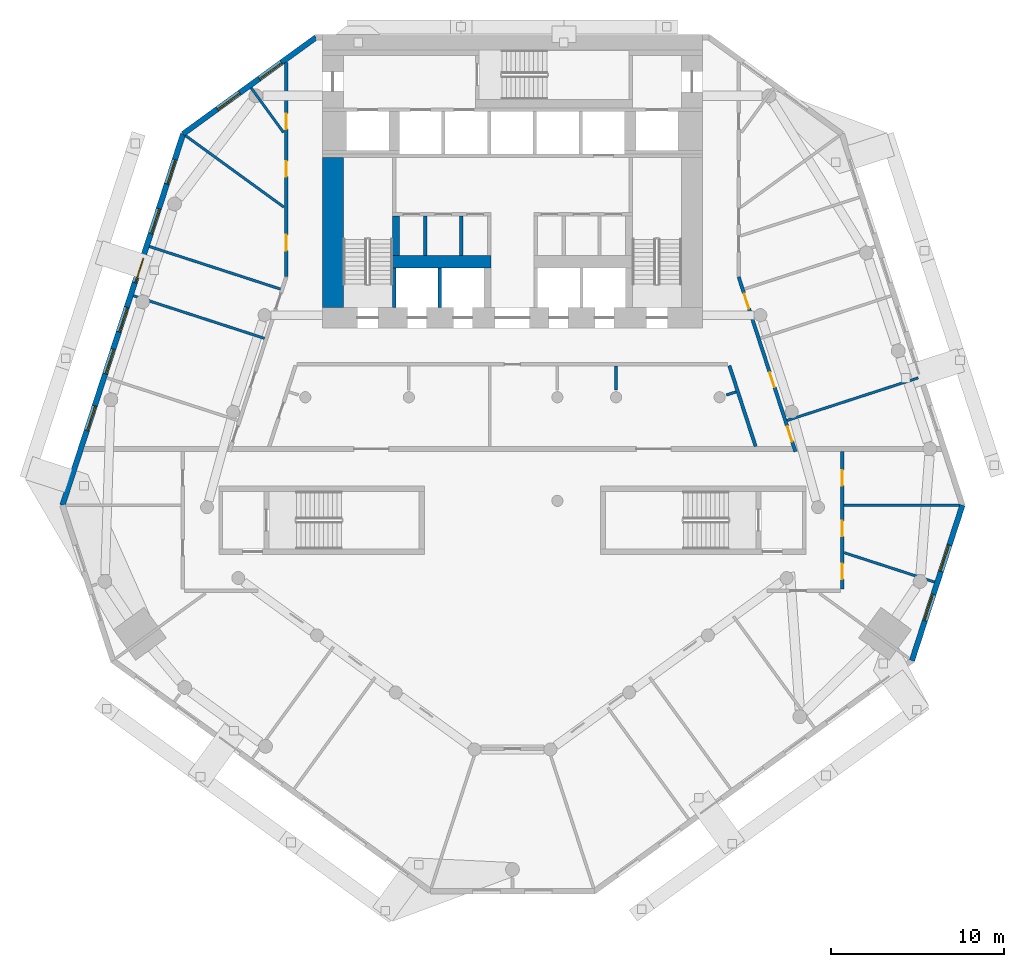
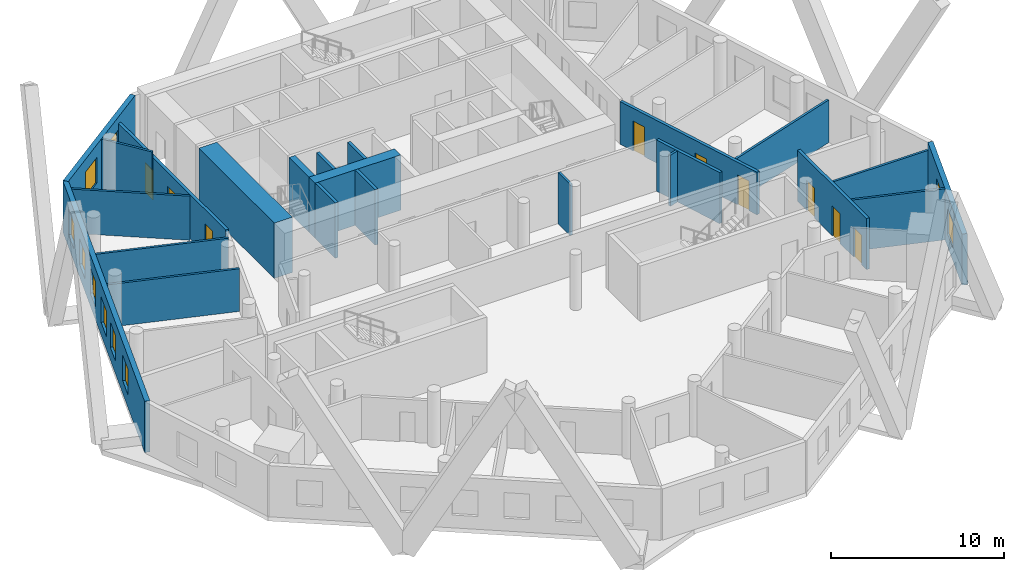
# One storey, part 5 of 10: 23 walls, 10 windows, 9 doors, 19 openings.
"""IFC4 building model written with IfcOpenShell, lengths in metres."""

from ifc_helpers import new_model, si_unit, direction, frame, frame_2d, origin, place, context, subcontext, project, spatial, rectangle, extrude, material, layer, layer_set, type_object, element, fill, save


model = new_model("IFC4")

# Units and contexts
model_context = context("Model", 3, precision=1e-05, world=origin(), true_north=direction((0.0, 1.0)))
body_context = subcontext(model_context, "Body", "Model", "MODEL_VIEW")
ifc_project = project(units=[si_unit("LENGTHUNIT", "METRE"), si_unit("AREAUNIT", "SQUARE_METRE"), si_unit("VOLUMEUNIT", "CUBIC_METRE"), si_unit("PLANEANGLEUNIT", "RADIAN"), si_unit("MASSUNIT", "GRAM", prefix="KILO")], contexts=[model_context])

# Site, building, storey
site_placement = place(None, origin())
site = spatial("IfcSite", under=ifc_project, at=site_placement, CompositionType="ELEMENT")
building_placement = place(site_placement, origin())
building = spatial("IfcBuilding", under=site, at=building_placement, Name="White Candle Pilgrim Tower", CompositionType="ELEMENT")
storey_placement = place(building_placement, frame((0.0, 0.0, 54.60009765625)))
storey = spatial("IfcBuildingStorey", under=building, at=storey_placement, Name="L10", CompositionType="ELEMENT", Elevation=54.60009765625)

# Wall, openings, doors
ifc_material_1 = material(Name="Gypsum board on steel studs", Category="steel")
ifc_layer_1 = layer(ifc_material_1, 0.199951171875)
ifc_layer_set_1 = layer_set([ifc_layer_1], Name="Corridor wall 200 mm EI 45")
wall_type_1 = type_object("IfcWallType", Name="Corridor wall 200 mm EI 45", PredefinedType="PARTITIONING", material=ifc_layer_set_1)
wall_1_placement = place(storey_placement, frame((56.89990234375, 73.991455078125, 0.0), z_axis=(0.0, 0.0, 1.0), x_axis=(0.0, 1.0, 0.0)))
wall_1 = element("IfcWall", 1, at=wall_1_placement, inside=storey, type_object=wall_type_1, Name="WL-L10-P003", PredefinedType="PARTITIONING", context=body_context, shape_type="SweptSolid", body=[
    extrude(rectangle(XDim=12.40478515625, YDim=0.199951171875, at=frame_2d((6.202392578125, 0.0))), origin(), (0.0, 0.0, 1.0), 3.099853515625),
])
opening_1_placement = place(wall_1_placement, frame((1.507568359375, 0.0, 0.0)))
opening_1 = element("IfcOpeningElement", 2, at=opening_1_placement, cuts=wall_1, Name="Opening T03-118", PredefinedType="OPENING", context=body_context, shape_type="SweptSolid", body=[
    extrude(rectangle(XDim=0.89990234375, YDim=2.10009765625, at=frame_2d((0.449951171875, 1.050048828125))), frame((0.0, 0.10986328125, 0.0), z_axis=(0.0, -1.0, 0.0), x_axis=(1.0, 0.0, 0.0)), (0.0, 0.0, 1.0), 0.219970703125),
])
opening_2_placement = place(wall_1_placement, frame((5.78759765625, 0.0, 0.0)))
opening_2 = element("IfcOpeningElement", 3, at=opening_2_placement, cuts=wall_1, Name="Opening T03-119", PredefinedType="OPENING", context=body_context, shape_type="SweptSolid", body=[
    extrude(rectangle(XDim=0.89990234375, YDim=2.10009765625, at=frame_2d((0.449951171875, 1.050048828125))), frame((0.0, 0.10986328125, 0.0), z_axis=(0.0, -1.0, 0.0), x_axis=(1.0, 0.0, 0.0)), (0.0, 0.0, 1.0), 0.219970703125),
])
opening_3_placement = place(wall_1_placement, frame((8.533203125, 0.0, 0.0)))
opening_3 = element("IfcOpeningElement", 4, at=opening_3_placement, cuts=wall_1, Name="Opening T03-120", PredefinedType="OPENING", context=body_context, shape_type="SweptSolid", body=[
    extrude(rectangle(XDim=0.89990234375, YDim=2.10009765625, at=frame_2d((0.449951171875, 1.050048828125))), frame((0.0, 0.10986328125, 0.0), z_axis=(0.0, -1.0, 0.0), x_axis=(1.0, 0.0, 0.0)), (0.0, 0.0, 1.0), 0.219970703125),
])
ifc_material_2 = material(Name="Steel door leaf", Category="steel")
door_type = type_object("IfcDoorType", Name="Fire door 900 x 2100 EI 30", OperationType="NOTDEFINED", PredefinedType="DOOR", material=ifc_material_2)
door_1_placement = place(opening_1_placement, origin())
door_1 = element("IfcDoor", 5, at=door_1_placement, inside=storey, type_object=door_type, Name="Door T03-118", OperationType="SINGLE_SWING_RIGHT", OverallHeight=2.10009765625, OverallWidth=0.89990234375, PredefinedType="DOOR", context=body_context, shape_type="SweptSolid", body=[
    extrude(rectangle(XDim=0.89990234375, YDim=2.10009765625, at=frame_2d((0.449951171875, 1.050048828125))), frame((0.0, 0.02490234375, 0.0), z_axis=(0.0, -1.0, 0.0), x_axis=(1.0, 0.0, 0.0)), (0.0, 0.0, 1.0), 0.050048828125),
])
fill(opening_1, door_1)
door_2_placement = place(opening_2_placement, origin())
door_2 = element("IfcDoor", 6, at=door_2_placement, inside=storey, type_object=door_type, Name="Door T03-119", OperationType="SINGLE_SWING_LEFT", OverallHeight=2.10009765625, OverallWidth=0.89990234375, PredefinedType="DOOR", context=body_context, shape_type="SweptSolid", body=[
    extrude(rectangle(XDim=0.89990234375, YDim=2.10009765625, at=frame_2d((0.449951171875, 1.050048828125))), frame((0.0, 0.02490234375, 0.0), z_axis=(0.0, -1.0, 0.0), x_axis=(1.0, 0.0, 0.0)), (0.0, 0.0, 1.0), 0.050048828125),
])
fill(opening_2, door_2)
door_3_placement = place(opening_3_placement, origin())
door_3 = element("IfcDoor", 7, at=door_3_placement, inside=storey, type_object=door_type, Name="Door T03-120", OperationType="SINGLE_SWING_RIGHT", OverallHeight=2.10009765625, OverallWidth=0.89990234375, PredefinedType="DOOR", context=body_context, shape_type="SweptSolid", body=[
    extrude(rectangle(XDim=0.89990234375, YDim=2.10009765625, at=frame_2d((0.449951171875, 1.050048828125))), frame((0.0, 0.02490234375, 0.0), z_axis=(0.0, -1.0, 0.0), x_axis=(1.0, 0.0, 0.0)), (0.0, 0.0, 1.0), 0.050048828125),
])
fill(opening_3, door_3)

wall_2_placement = place(storey_placement, frame((83.10498046875, 73.960693359375, 0.0), z_axis=(0.0, 0.0, 1.0), x_axis=(0.308998312102, -0.951062586331, 0.0)))
wall_2 = element("IfcWall", 8, at=wall_2_placement, inside=storey, type_object=wall_type_1, Name="WL-L10-P005", PredefinedType="PARTITIONING", context=body_context, shape_type="SweptSolid", body=[
    extrude(rectangle(XDim=10.630859375, YDim=0.199951171875, at=frame_2d((5.3154296875, 0.0))), origin(), (0.0, 0.0, 1.0), 3.0),
])
opening_4_placement = place(wall_2_placement, frame((1.014404296875, 0.0, 0.0)))
opening_4 = element("IfcOpeningElement", 9, at=opening_4_placement, cuts=wall_2, Name="Opening T03-125", PredefinedType="OPENING", context=body_context, shape_type="SweptSolid", body=[
    extrude(rectangle(XDim=0.89990234375, YDim=2.10009765625, at=frame_2d((0.449951171875, 1.050048828125))), frame((0.0, 0.10986328125, 0.0), z_axis=(0.0, -1.0, 0.0), x_axis=(1.0, 0.0, 0.0)), (0.0, 0.0, 1.0), 0.219970703125),
])
opening_5_placement = place(wall_2_placement, frame((5.814208984375, 0.0, 0.0)))
opening_5 = element("IfcOpeningElement", 10, at=opening_5_placement, cuts=wall_2, Name="Opening T03-126", PredefinedType="OPENING", context=body_context, shape_type="SweptSolid", body=[
    extrude(rectangle(XDim=0.89990234375, YDim=2.10009765625, at=frame_2d((0.449951171875, 1.050048828125))), frame((0.0, 0.10986328125, 0.0), z_axis=(0.0, -1.0, 0.0), x_axis=(1.0, 0.0, 0.0)), (0.0, 0.0, 1.0), 0.219970703125),
])
opening_6_placement = place(wall_2_placement, frame((9.107666015625, 0.0, 0.0)))
opening_6 = element("IfcOpeningElement", 11, at=opening_6_placement, cuts=wall_2, Name="Opening T03-127", PredefinedType="OPENING", context=body_context, shape_type="SweptSolid", body=[
    extrude(rectangle(XDim=0.89990234375, YDim=2.10009765625, at=frame_2d((0.449951171875, 1.050048828125))), frame((0.0, 0.10986328125, 0.0), z_axis=(0.0, -1.0, 0.0), x_axis=(1.0, 0.0, 0.0)), (0.0, 0.0, 1.0), 0.219970703125),
])
door_4_placement = place(opening_4_placement, origin())
door_4 = element("IfcDoor", 12, at=door_4_placement, inside=storey, type_object=door_type, Name="Door T03-125", OperationType="SINGLE_SWING_LEFT", OverallHeight=2.10009765625, OverallWidth=0.89990234375, PredefinedType="DOOR", context=body_context, shape_type="SweptSolid", body=[
    extrude(rectangle(XDim=0.89990234375, YDim=2.10009765625, at=frame_2d((0.449951171875, 1.050048828125))), frame((0.0, 0.02490234375, 0.0), z_axis=(0.0, -1.0, 0.0), x_axis=(1.0, 0.0, 0.0)), (0.0, 0.0, 1.0), 0.050048828125),
])
fill(opening_4, door_4)
door_5_placement = place(opening_5_placement, origin())
door_5 = element("IfcDoor", 13, at=door_5_placement, inside=storey, type_object=door_type, Name="Door T03-126", OperationType="SINGLE_SWING_RIGHT", OverallHeight=2.10009765625, OverallWidth=0.89990234375, PredefinedType="DOOR", context=body_context, shape_type="SweptSolid", body=[
    extrude(rectangle(XDim=0.89990234375, YDim=2.10009765625, at=frame_2d((0.449951171875, 1.050048828125))), frame((0.0, 0.02490234375, 0.0), z_axis=(0.0, -1.0, 0.0), x_axis=(1.0, 0.0, 0.0)), (0.0, 0.0, 1.0), 0.050048828125),
])
fill(opening_5, door_5)
door_6_placement = place(opening_6_placement, origin())
door_6 = element("IfcDoor", 14, at=door_6_placement, inside=storey, type_object=door_type, Name="Door T03-127", OperationType="SINGLE_SWING_LEFT", OverallHeight=2.10009765625, OverallWidth=0.89990234375, PredefinedType="DOOR", context=body_context, shape_type="SweptSolid", body=[
    extrude(rectangle(XDim=0.89990234375, YDim=2.10009765625, at=frame_2d((0.449951171875, 1.050048828125))), frame((0.0, 0.02490234375, 0.0), z_axis=(0.0, -1.0, 0.0), x_axis=(1.0, 0.0, 0.0)), (0.0, 0.0, 1.0), 0.050048828125),
])
fill(opening_6, door_6)

wall_3_placement = place(storey_placement, frame((89.10009765625, 63.85009765625, 0.0), z_axis=(0.0, 0.0, 1.0), x_axis=(0.0, -1.0, 0.0)))
wall_3 = element("IfcWall", 15, at=wall_3_placement, inside=storey, type_object=wall_type_1, Name="WL-L10-P006", PredefinedType="PARTITIONING", context=body_context, shape_type="SweptSolid", body=[
    extrude(rectangle(XDim=7.9501953125, YDim=0.199951171875, at=frame_2d((3.97509765625, 0.0))), origin(), (0.0, 0.0, 1.0), 3.599853515625),
])
opening_7_placement = place(wall_3_placement, frame((6.482666015625, 0.0, 0.0)))
opening_7 = element("IfcOpeningElement", 16, at=opening_7_placement, cuts=wall_3, Name="Opening T03-110", PredefinedType="OPENING", context=body_context, shape_type="SweptSolid", body=[
    extrude(rectangle(XDim=0.89990234375, YDim=2.10009765625, at=frame_2d((0.449951171875, 1.050048828125))), frame((0.0, 0.10986328125, 0.0), z_axis=(0.0, -1.0, 0.0), x_axis=(1.0, 0.0, 0.0)), (0.0, 0.0, 1.0), 0.219970703125),
])
opening_8_placement = place(wall_3_placement, frame((4.0087890625, 0.0, 0.0)))
opening_8 = element("IfcOpeningElement", 17, at=opening_8_placement, cuts=wall_3, Name="Opening T03-111", PredefinedType="OPENING", context=body_context, shape_type="SweptSolid", body=[
    extrude(rectangle(XDim=0.89990234375, YDim=2.10009765625, at=frame_2d((0.449951171875, 1.050048828125))), frame((0.0, 0.10986328125, 0.0), z_axis=(0.0, -1.0, 0.0), x_axis=(1.0, 0.0, 0.0)), (0.0, 0.0, 1.0), 0.219970703125),
])
opening_9_placement = place(wall_3_placement, frame((1.063720703125, 0.0, 0.0)))
opening_9 = element("IfcOpeningElement", 18, at=opening_9_placement, cuts=wall_3, Name="Opening T03-128", PredefinedType="OPENING", context=body_context, shape_type="SweptSolid", body=[
    extrude(rectangle(XDim=0.89990234375, YDim=2.10009765625, at=frame_2d((0.449951171875, 1.050048828125))), frame((0.0, 0.10986328125, 0.0), z_axis=(0.0, -1.0, 0.0), x_axis=(1.0, 0.0, 0.0)), (0.0, 0.0, 1.0), 0.219970703125),
])
door_7_placement = place(opening_7_placement, origin())
door_7 = element("IfcDoor", 19, at=door_7_placement, inside=storey, type_object=door_type, Name="Door T03-110", OperationType="SINGLE_SWING_RIGHT", OverallHeight=2.10009765625, OverallWidth=0.89990234375, PredefinedType="DOOR", context=body_context, shape_type="SweptSolid", body=[
    extrude(rectangle(XDim=0.89990234375, YDim=2.10009765625, at=frame_2d((0.449951171875, 1.050048828125))), frame((0.0, 0.02490234375, 0.0), z_axis=(0.0, -1.0, 0.0), x_axis=(1.0, 0.0, 0.0)), (0.0, 0.0, 1.0), 0.050048828125),
])
fill(opening_7, door_7)
door_8_placement = place(opening_8_placement, origin())
door_8 = element("IfcDoor", 20, at=door_8_placement, inside=storey, type_object=door_type, Name="Door T03-111", OperationType="SINGLE_SWING_LEFT", OverallHeight=2.10009765625, OverallWidth=0.89990234375, PredefinedType="DOOR", context=body_context, shape_type="SweptSolid", body=[
    extrude(rectangle(XDim=0.89990234375, YDim=2.10009765625, at=frame_2d((0.449951171875, 1.050048828125))), frame((0.0, 0.02490234375, 0.0), z_axis=(0.0, -1.0, 0.0), x_axis=(1.0, 0.0, 0.0)), (0.0, 0.0, 1.0), 0.050048828125),
])
fill(opening_8, door_8)
door_9_placement = place(opening_9_placement, origin())
door_9 = element("IfcDoor", 21, at=door_9_placement, inside=storey, type_object=door_type, Name="Door T03-128", OperationType="SINGLE_SWING_RIGHT", OverallHeight=2.10009765625, OverallWidth=0.89990234375, PredefinedType="DOOR", context=body_context, shape_type="SweptSolid", body=[
    extrude(rectangle(XDim=0.89990234375, YDim=2.10009765625, at=frame_2d((0.449951171875, 1.050048828125))), frame((0.0, 0.02490234375, 0.0), z_axis=(0.0, -1.0, 0.0), x_axis=(1.0, 0.0, 0.0)), (0.0, 0.0, 1.0), 0.050048828125),
])
fill(opening_9, door_9)

# Wall
wall_4_placement = place(storey_placement, frame((84.08447265625, 64.14990234375, 0.0), z_axis=(0.0, 0.0, 1.0), x_axis=(-0.308986244793, 0.95106650689, 0.0)))
element("IfcWall", 22, at=wall_4_placement, inside=storey, type_object=wall_type_1, Name="WL-L10-P015", PredefinedType="PARTITIONING", context=body_context, shape_type="SweptSolid", body=[
    extrude(rectangle(XDim=4.921630859375, YDim=0.199951171875, at=frame_2d((2.4609375, 0.0))), origin(), (0.0, 0.0, 1.0), 3.599853515625),
])

# Wall, openings, windows
ifc_material_3 = material(Name="Precast concrete C40/50", Category="concrete")
ifc_layer_2 = layer(ifc_material_3, 0.320068359375)
ifc_layer_set_2 = layer_set([ifc_layer_2], Name="Facade wall EW1 precast concrete C40/50 pier wall with timber-lined reveals")
wall_type_2 = type_object("IfcWallType", Name="Facade wall EW1 precast concrete C40/50 pier wall with timber-lined reveals", PredefinedType="SOLIDWALL", material=ifc_layer_set_2)
wall_5_placement = place(storey_placement, frame((93.137939453125, 51.747802734375, 0.0), z_axis=(0.0, 0.0, 1.0), x_axis=(0.309035900621, 0.951050373076, 0.0)))
wall_5 = element("IfcWall", 23, at=wall_5_placement, inside=storey, type_object=wall_type_2, Name="Facade wall L10 E chamfer", PredefinedType="SOLIDWALL", context=body_context, shape_type="SweptSolid", body=[
    extrude(rectangle(XDim=9.462646484375, YDim=0.320068359375, at=frame_2d((4.7314453125, 0.0))), origin(), (0.0, 0.0, 1.0), 3.599853515625),
])
opening_10_placement = place(wall_5_placement, frame((2.431396484375, 0.0, 0.89990234375)))
opening_10 = element("IfcOpeningElement", 24, at=opening_10_placement, cuts=wall_5, Name="Opening W2", PredefinedType="OPENING", context=body_context, shape_type="SweptSolid", body=[
    extrude(rectangle(XDim=1.60009765625, YDim=1.800048828125, at=frame_2d((0.800048828125, 0.89990234375))), frame((0.0, 0.169921875, 0.0), z_axis=(0.0, -1.0, 0.0), x_axis=(1.0, 0.0, 0.0)), (0.0, 0.0, 1.0), 0.340087890625),
])
opening_11_placement = place(wall_5_placement, frame((5.431396484375, 0.0, 0.89990234375)))
opening_11 = element("IfcOpeningElement", 25, at=opening_11_placement, cuts=wall_5, Name="Opening W2", PredefinedType="OPENING", context=body_context, shape_type="SweptSolid", body=[
    extrude(rectangle(XDim=1.60009765625, YDim=1.800048828125, at=frame_2d((0.800048828125, 0.89990234375))), frame((0.0, 0.169921875, 0.0), z_axis=(0.0, -1.0, 0.0), x_axis=(1.0, 0.0, 0.0)), (0.0, 0.0, 1.0), 0.340087890625),
])
ifc_material_4 = material(Name="Timber frame with triple glazing", Category="wood")
window_type_1 = type_object("IfcWindowType", Name="Window W2 1600x1800 timber frame triple glazing", PartitioningType="SINGLE_PANEL", PredefinedType="WINDOW", material=ifc_material_4)
window_1_placement = place(opening_10_placement, origin())
window_1 = element("IfcWindow", 26, at=window_1_placement, inside=storey, type_object=window_type_1, Name="Window W2 L10 E chamfer 1", OverallHeight=1.800048828125, OverallWidth=1.60009765625, PartitioningType="SINGLE_PANEL", PredefinedType="WINDOW", context=body_context, shape_type="SweptSolid", body=[
    extrude(rectangle(XDim=1.60009765625, YDim=1.800048828125, at=frame_2d((0.800048828125, 0.89990234375))), frame((0.0, 0.070068359375, 0.0), z_axis=(0.0, -1.0, 0.0), x_axis=(1.0, 0.0, 0.0)), (0.0, 0.0, 1.0), 0.06005859375),
])
fill(opening_10, window_1)
window_2_placement = place(opening_11_placement, origin())
window_2 = element("IfcWindow", 27, at=window_2_placement, inside=storey, type_object=window_type_1, Name="Window W2 L10 E chamfer 2", OverallHeight=1.800048828125, OverallWidth=1.60009765625, PartitioningType="SINGLE_PANEL", PredefinedType="WINDOW", context=body_context, shape_type="SweptSolid", body=[
    extrude(rectangle(XDim=1.60009765625, YDim=1.800048828125, at=frame_2d((0.800048828125, 0.89990234375))), frame((0.0, 0.070068359375, 0.0), z_axis=(0.0, -1.0, 0.0), x_axis=(1.0, 0.0, 0.0)), (0.0, 0.0, 1.0), 0.06005859375),
])
fill(opening_11, window_2)

wall_6_placement = place(storey_placement, frame((58.614990234375, 87.840087890625, 0.0), z_axis=(0.0, 0.0, 1.0), x_axis=(-0.809007020713, -0.587798979616, 0.0)))
wall_6 = element("IfcWall", 28, at=wall_6_placement, inside=storey, type_object=wall_type_2, Name="Facade wall L10 NW chamfer", PredefinedType="SOLIDWALL", context=body_context, shape_type="SweptSolid", body=[
    extrude(rectangle(XDim=9.5048828125, YDim=0.320068359375, at=frame_2d((4.75244140625, 0.0))), origin(), (0.0, 0.0, 1.0), 3.599853515625),
])
opening_12_placement = place(wall_6_placement, frame((2.459716796875, 0.0, 0.89990234375)))
opening_12 = element("IfcOpeningElement", 29, at=opening_12_placement, cuts=wall_6, Name="Opening W2", PredefinedType="OPENING", context=body_context, shape_type="SweptSolid", body=[
    extrude(rectangle(XDim=1.60009765625, YDim=1.800048828125, at=frame_2d((0.800048828125, 0.89990234375))), frame((0.0, 0.169921875, 0.0), z_axis=(0.0, -1.0, 0.0), x_axis=(1.0, 0.0, 0.0)), (0.0, 0.0, 1.0), 0.340087890625),
])
opening_13_placement = place(wall_6_placement, frame((5.452392578125, 0.0, 0.89990234375)))
opening_13 = element("IfcOpeningElement", 30, at=opening_13_placement, cuts=wall_6, Name="Opening W2", PredefinedType="OPENING", context=body_context, shape_type="SweptSolid", body=[
    extrude(rectangle(XDim=1.60009765625, YDim=1.800048828125, at=frame_2d((0.800048828125, 0.89990234375))), frame((0.0, 0.169921875, 0.0), z_axis=(0.0, -1.0, 0.0), x_axis=(1.0, 0.0, 0.0)), (0.0, 0.0, 1.0), 0.340087890625),
])
window_3_placement = place(opening_12_placement, origin())
window_3 = element("IfcWindow", 31, at=window_3_placement, inside=storey, type_object=window_type_1, Name="Window W2 L10 NW chamfer 1", OverallHeight=1.800048828125, OverallWidth=1.60009765625, PartitioningType="SINGLE_PANEL", PredefinedType="WINDOW", context=body_context, shape_type="SweptSolid", body=[
    extrude(rectangle(XDim=1.60009765625, YDim=1.800048828125, at=frame_2d((0.800048828125, 0.89990234375))), frame((0.0, 0.070068359375, 0.0), z_axis=(0.0, -1.0, 0.0), x_axis=(1.0, 0.0, 0.0)), (0.0, 0.0, 1.0), 0.06005859375),
])
fill(opening_12, window_3)
window_4_placement = place(opening_13_placement, origin())
window_4 = element("IfcWindow", 32, at=window_4_placement, inside=storey, type_object=window_type_1, Name="Window W2 L10 NW chamfer 2", OverallHeight=1.800048828125, OverallWidth=1.60009765625, PartitioningType="SINGLE_PANEL", PredefinedType="WINDOW", context=body_context, shape_type="SweptSolid", body=[
    extrude(rectangle(XDim=1.60009765625, YDim=1.800048828125, at=frame_2d((0.800048828125, 0.89990234375))), frame((0.0, 0.070068359375, 0.0), z_axis=(0.0, -1.0, 0.0), x_axis=(1.0, 0.0, 0.0)), (0.0, 0.0, 1.0), 0.06005859375),
])
fill(opening_13, window_4)

wall_7_placement = place(storey_placement, frame((50.925537109375, 82.253173828125, 0.0), z_axis=(0.0, 0.0, 1.0), x_axis=(-0.309021621323, -0.951055012896, 0.0)))
wall_7 = element("IfcWall", 33, at=wall_7_placement, inside=storey, type_object=wall_type_2, Name="Facade wall L10 WNW", PredefinedType="SOLIDWALL", context=body_context, shape_type="SweptSolid", body=[
    extrude(rectangle(XDim=22.612548828125, YDim=0.320068359375, at=frame_2d((11.30615234375, 0.0))), origin(), (0.0, 0.0, 1.0), 3.599853515625),
])
opening_14_placement = place(wall_7_placement, frame((1.556396484375, 0.0, 0.89990234375)))
opening_14 = element("IfcOpeningElement", 34, at=opening_14_placement, cuts=wall_7, Name="Opening W1", PredefinedType="OPENING", context=body_context, shape_type="SweptSolid", body=[
    extrude(rectangle(XDim=1.5, YDim=1.800048828125, at=frame_2d((0.75, 0.89990234375))), frame((0.0, 0.169921875, 0.0), z_axis=(0.0, -1.0, 0.0), x_axis=(1.0, 0.0, 0.0)), (0.0, 0.0, 1.0), 0.340087890625),
])
opening_15_placement = place(wall_7_placement, frame((4.556396484375, 0.0, 0.89990234375)))
opening_15 = element("IfcOpeningElement", 35, at=opening_15_placement, cuts=wall_7, Name="Opening W1", PredefinedType="OPENING", context=body_context, shape_type="SweptSolid", body=[
    extrude(rectangle(XDim=1.5, YDim=1.800048828125, at=frame_2d((0.75, 0.89990234375))), frame((0.0, 0.169921875, 0.0), z_axis=(0.0, -1.0, 0.0), x_axis=(1.0, 0.0, 0.0)), (0.0, 0.0, 1.0), 0.340087890625),
])
opening_16_placement = place(wall_7_placement, frame((7.556396484375, 0.0, 0.89990234375)))
opening_16 = element("IfcOpeningElement", 36, at=opening_16_placement, cuts=wall_7, Name="Opening W1", PredefinedType="OPENING", context=body_context, shape_type="SweptSolid", body=[
    extrude(rectangle(XDim=1.5, YDim=1.800048828125, at=frame_2d((0.75, 0.89990234375))), frame((0.0, 0.169921875, 0.0), z_axis=(0.0, -1.0, 0.0), x_axis=(1.0, 0.0, 0.0)), (0.0, 0.0, 1.0), 0.340087890625),
])
opening_17_placement = place(wall_7_placement, frame((10.556396484375, 0.0, 0.89990234375)))
opening_17 = element("IfcOpeningElement", 37, at=opening_17_placement, cuts=wall_7, Name="Opening W1", PredefinedType="OPENING", context=body_context, shape_type="SweptSolid", body=[
    extrude(rectangle(XDim=1.5, YDim=1.800048828125, at=frame_2d((0.75, 0.89990234375))), frame((0.0, 0.169921875, 0.0), z_axis=(0.0, -1.0, 0.0), x_axis=(1.0, 0.0, 0.0)), (0.0, 0.0, 1.0), 0.340087890625),
])
opening_18_placement = place(wall_7_placement, frame((13.106201171875, 0.0, 0.89990234375)))
opening_18 = element("IfcOpeningElement", 38, at=opening_18_placement, cuts=wall_7, Name="Opening W1", PredefinedType="OPENING", context=body_context, shape_type="SweptSolid", body=[
    extrude(rectangle(XDim=1.5, YDim=1.800048828125, at=frame_2d((0.75, 0.89990234375))), frame((0.0, 0.169921875, 0.0), z_axis=(0.0, -1.0, 0.0), x_axis=(1.0, 0.0, 0.0)), (0.0, 0.0, 1.0), 0.340087890625),
])
opening_19_placement = place(wall_7_placement, frame((16.556396484375, 0.0, 0.89990234375)))
opening_19 = element("IfcOpeningElement", 39, at=opening_19_placement, cuts=wall_7, Name="Opening W1", PredefinedType="OPENING", context=body_context, shape_type="SweptSolid", body=[
    extrude(rectangle(XDim=1.5, YDim=1.800048828125, at=frame_2d((0.75, 0.89990234375))), frame((0.0, 0.169921875, 0.0), z_axis=(0.0, -1.0, 0.0), x_axis=(1.0, 0.0, 0.0)), (0.0, 0.0, 1.0), 0.340087890625),
])
window_type_2 = type_object("IfcWindowType", Name="Window W1 1500x1800 timber frame triple glazing", PartitioningType="SINGLE_PANEL", PredefinedType="WINDOW", material=ifc_material_4)
window_5_placement = place(opening_14_placement, origin())
window_5 = element("IfcWindow", 40, at=window_5_placement, inside=storey, type_object=window_type_2, Name="Window W1 L10 WNW 1", OverallHeight=1.800048828125, OverallWidth=1.5, PartitioningType="SINGLE_PANEL", PredefinedType="WINDOW", context=body_context, shape_type="SweptSolid", body=[
    extrude(rectangle(XDim=1.5, YDim=1.800048828125, at=frame_2d((0.75, 0.89990234375))), frame((0.0, 0.070068359375, 0.0), z_axis=(0.0, -1.0, 0.0), x_axis=(1.0, 0.0, 0.0)), (0.0, 0.0, 1.0), 0.06005859375),
])
fill(opening_14, window_5)
window_6_placement = place(opening_15_placement, origin())
window_6 = element("IfcWindow", 41, at=window_6_placement, inside=storey, type_object=window_type_2, Name="Window W1 L10 WNW 2", OverallHeight=1.800048828125, OverallWidth=1.5, PartitioningType="SINGLE_PANEL", PredefinedType="WINDOW", context=body_context, shape_type="SweptSolid", body=[
    extrude(rectangle(XDim=1.5, YDim=1.800048828125, at=frame_2d((0.75, 0.89990234375))), frame((0.0, 0.070068359375, 0.0), z_axis=(0.0, -1.0, 0.0), x_axis=(1.0, 0.0, 0.0)), (0.0, 0.0, 1.0), 0.06005859375),
])
fill(opening_15, window_6)
window_7_placement = place(opening_16_placement, origin())
window_7 = element("IfcWindow", 42, at=window_7_placement, inside=storey, type_object=window_type_2, Name="Window W1 L10 WNW 3", OverallHeight=1.800048828125, OverallWidth=1.5, PartitioningType="SINGLE_PANEL", PredefinedType="WINDOW", context=body_context, shape_type="SweptSolid", body=[
    extrude(rectangle(XDim=1.5, YDim=1.800048828125, at=frame_2d((0.75, 0.89990234375))), frame((0.0, 0.070068359375, 0.0), z_axis=(0.0, -1.0, 0.0), x_axis=(1.0, 0.0, 0.0)), (0.0, 0.0, 1.0), 0.06005859375),
])
fill(opening_16, window_7)
window_8_placement = place(opening_17_placement, origin())
window_8 = element("IfcWindow", 43, at=window_8_placement, inside=storey, type_object=window_type_2, Name="Window W1 L10 WNW 4", OverallHeight=1.800048828125, OverallWidth=1.5, PartitioningType="SINGLE_PANEL", PredefinedType="WINDOW", context=body_context, shape_type="SweptSolid", body=[
    extrude(rectangle(XDim=1.5, YDim=1.800048828125, at=frame_2d((0.75, 0.89990234375))), frame((0.0, 0.070068359375, 0.0), z_axis=(0.0, -1.0, 0.0), x_axis=(1.0, 0.0, 0.0)), (0.0, 0.0, 1.0), 0.06005859375),
])
fill(opening_17, window_8)
window_9_placement = place(opening_18_placement, origin())
window_9 = element("IfcWindow", 44, at=window_9_placement, inside=storey, type_object=window_type_2, Name="Window W1 L10 WNW 5", OverallHeight=1.800048828125, OverallWidth=1.5, PartitioningType="SINGLE_PANEL", PredefinedType="WINDOW", context=body_context, shape_type="SweptSolid", body=[
    extrude(rectangle(XDim=1.5, YDim=1.800048828125, at=frame_2d((0.75, 0.89990234375))), frame((0.0, 0.070068359375, 0.0), z_axis=(0.0, -1.0, 0.0), x_axis=(1.0, 0.0, 0.0)), (0.0, 0.0, 1.0), 0.06005859375),
])
fill(opening_18, window_9)
window_10_placement = place(opening_19_placement, origin())
window_10 = element("IfcWindow", 45, at=window_10_placement, inside=storey, type_object=window_type_2, Name="Window W1 L10 WNW 6", OverallHeight=1.800048828125, OverallWidth=1.5, PartitioningType="SINGLE_PANEL", PredefinedType="WINDOW", context=body_context, shape_type="SweptSolid", body=[
    extrude(rectangle(XDim=1.5, YDim=1.800048828125, at=frame_2d((0.75, 0.89990234375))), frame((0.0, 0.070068359375, 0.0), z_axis=(0.0, -1.0, 0.0), x_axis=(1.0, 0.0, 0.0)), (0.0, 0.0, 1.0), 0.06005859375),
])
fill(opening_19, window_10)

# Walls
ifc_layer_3 = layer(ifc_material_1, 0.199951171875)
ifc_layer_set_3 = layer_set([ifc_layer_3], Name="Lobby wall 200 mm EI 60")
wall_type_3 = type_object("IfcWallType", Name="Lobby wall 200 mm EI 60", PredefinedType="PARTITIONING", material=ifc_layer_set_3)
for number, where, z_axis, x_axis, name in (
    (46, (64.9599609375, 75.199951171875, 0.0), (0.0, 0.0, 1.0), (0.0, 1.0, 0.0), "WL-L10-C23"),
    (47, (67.0400390625, 75.199951171875, 0.0), (0.0, 0.0, 1.0), (0.0, 1.0, 0.0), "WL-L10-C24"),
):
    element("IfcWall", number, at=place(storey_placement, frame(where, z_axis=z_axis, x_axis=x_axis)), inside=storey, type_object=wall_type_3, Name=name, PredefinedType="PARTITIONING", context=body_context, shape_type="SweptSolid", body=[
        extrude(rectangle(XDim=2.300048828125, YDim=0.199951171875, at=frame_2d((1.14990234375, 0.0))), origin(), (0.0, 0.0, 1.0), 3.599853515625),
    ])
ifc_layer_4 = layer(ifc_material_1, 0.14990234375)
ifc_layer_set_4 = layer_set([ifc_layer_4], Name="Partition 150 mm EI 60")
wall_type_4 = type_object("IfcWallType", Name="Partition 150 mm EI 60", PredefinedType="PARTITIONING", material=ifc_layer_set_4)
wall_8_placement = place(storey_placement, frame((51.0615234375, 82.154296875, 0.0), z_axis=(0.0, 0.0, 1.0), x_axis=(0.809014980817, -0.587788023707, 0.0)))
element("IfcWall", 48, at=wall_8_placement, inside=storey, type_object=wall_type_4, Name="WL-L10-P016", PredefinedType="PARTITIONING", context=body_context, shape_type="SweptSolid", body=[
    extrude(rectangle(XDim=7.03857421875, YDim=0.14990234375, at=frame_2d((3.519287109375, 0.0))), origin(), (0.0, 0.0, 1.0), 3.099853515625),
])
wall_9_placement = place(storey_placement, frame((95.89404296875, 60.747314453125, 0.0), z_axis=(0.0, 0.0, 1.0), x_axis=(-1.0, 0.0, 0.0)))
element("IfcWall", 49, at=wall_9_placement, inside=storey, type_object=wall_type_4, Name="WL-L10-P022", PredefinedType="PARTITIONING", context=body_context, shape_type="SweptSolid", body=[
    extrude(rectangle(XDim=6.694091796875, YDim=0.14990234375, at=frame_2d((3.34716796875, 0.0))), origin(), (0.0, 0.0, 1.0), 3.099853515625),
])
wall_10_placement = place(storey_placement, frame((54.8642578125, 84.917236328125, 0.0), z_axis=(0.0, 0.0, 1.0), x_axis=(0.587771173364, -0.809027223128, 0.0)))
element("IfcWall", 50, at=wall_10_placement, inside=storey, type_object=wall_type_4, Name="WL-L10-P024", PredefinedType="PARTITIONING", context=body_context, shape_type="SweptSolid", body=[
    extrude(rectangle(XDim=3.18994140625, YDim=0.14990234375, at=frame_2d((1.594970703125, 0.0))), origin(), (0.0, 0.0, 1.0), 3.599853515625),
])
wall_11_placement = place(storey_placement, frame((48.974365234375, 75.730712890625, 0.0), z_axis=(0.0, 0.0, 1.0), x_axis=(0.95105160396, -0.309032112578, 0.0)))
element("IfcWall", 51, at=wall_11_placement, inside=storey, type_object=wall_type_4, Name="WL-L10-P025", PredefinedType="PARTITIONING", context=body_context, shape_type="SweptSolid", body=[
    extrude(rectangle(XDim=7.97998046875, YDim=0.14990234375, at=frame_2d((3.989990234375, 0.0))), origin(), (0.0, 0.0, 1.0), 3.099853515625),
])
wall_12_placement = place(storey_placement, frame((48.04736328125, 72.87744140625, 0.0), z_axis=(0.0, 0.0, 1.0), x_axis=(0.951060595449, -0.309004439749, 0.0)))
element("IfcWall", 52, at=wall_12_placement, inside=storey, type_object=wall_type_4, Name="WL-L10-P026", PredefinedType="PARTITIONING", context=body_context, shape_type="SweptSolid", body=[
    extrude(rectangle(XDim=7.97998046875, YDim=0.14990234375, at=frame_2d((3.989990234375, 0.0))), origin(), (0.0, 0.0, 1.0), 3.0),
])
wall_13_placement = place(storey_placement, frame((94.447998046875, 56.297119140625, 0.0), z_axis=(0.0, 0.0, 1.0), x_axis=(-0.951064436206, 0.308992618333, 0.0)))
element("IfcWall", 53, at=wall_13_placement, inside=storey, type_object=wall_type_4, Name="WL-L10-P033", PredefinedType="PARTITIONING", context=body_context, shape_type="SweptSolid", body=[
    extrude(rectangle(XDim=5.49365234375, YDim=0.14990234375, at=frame_2d((2.746826171875, 0.0))), origin(), (0.0, 0.0, 1.0), 3.599853515625),
])
wall_14_placement = place(storey_placement, frame((93.497802734375, 68.122314453125, 0.0), z_axis=(0.0, 0.0, 1.0), x_axis=(-0.951054525606, -0.30902312102, 0.0)))
element("IfcWall", 54, at=wall_14_placement, inside=storey, type_object=wall_type_4, Name="WL-L10-P034", PredefinedType="PARTITIONING", context=body_context, shape_type="SweptSolid", body=[
    extrude(rectangle(XDim=7.980224609375, YDim=0.14990234375, at=frame_2d((3.990234375, 0.0))), origin(), (0.0, 0.0, 1.0), 3.0),
])
wall_15_placement = place(storey_placement, frame((75.997802734375, 67.4150390625, 0.0), z_axis=(0.0, 0.0, 1.0), x_axis=(0.0, 1.0, 0.0)))
element("IfcWall", 55, at=wall_15_placement, inside=storey, type_object=wall_type_4, Name="WL-L10-P046", PredefinedType="PARTITIONING", context=body_context, shape_type="SweptSolid", body=[
    extrude(rectangle(XDim=1.385009765625, YDim=0.14990234375, at=frame_2d((0.6923828125, 0.0))), origin(), (0.0, 0.0, 1.0), 3.599853515625),
])
wall_16_placement = place(storey_placement, frame((82.393798828125, 67.131103515625, 0.0), z_axis=(0.0, 0.0, 1.0), x_axis=(0.9511501924, 0.30872854014, 0.0)))
element("IfcWall", 56, at=wall_16_placement, inside=storey, type_object=wall_type_4, Name="WL-L10-P047", PredefinedType="PARTITIONING", context=body_context, shape_type="SweptSolid", body=[
    extrude(rectangle(XDim=0.586669921875, YDim=0.14990234375, at=frame_2d((0.29345703125, 0.0))), origin(), (0.0, 0.0, 1.0), 3.599853515625),
])
ifc_material_5 = material(Name="Concrete C70/85", Category="concrete")
ifc_layer_5 = layer(ifc_material_5, 0.199951171875)
ifc_layer_set_5 = layer_set([ifc_layer_5], Name="Shaft wall 200 mm Concrete C70/85")
wall_type_5 = type_object("IfcWallType", Name="Shaft wall 200 mm Concrete C70/85", PredefinedType="SHEAR", material=ifc_layer_set_5)
wall_17_placement = place(storey_placement, frame((65.800048828125, 72.199951171875, 0.0), z_axis=(0.0, 0.0, 1.0), x_axis=(0.0, 1.0, 0.0)))
element("IfcWall", 57, at=wall_17_placement, inside=storey, type_object=wall_type_5, Name="WL-L10-C14", PredefinedType="SHEAR", context=body_context, shape_type="SweptSolid", body=[
    extrude(rectangle(XDim=2.300048828125, YDim=0.199951171875, at=frame_2d((1.14990234375, 0.0))), origin(), (0.0, 0.0, 1.0), 3.89990234375),
])
ifc_layer_6 = layer(ifc_material_5, 1.199951171875)
ifc_layer_set_6 = layer_set([ifc_layer_6], Name="Stair shaft wall 1200 mm Concrete C70/85")
wall_type_6 = type_object("IfcWallType", Name="Stair shaft wall 1200 mm Concrete C70/85", PredefinedType="SHEAR", material=ifc_layer_set_6)
wall_18_placement = place(storey_placement, frame((59.60009765625, 72.199951171875, 0.0), z_axis=(0.0, 0.0, 1.0), x_axis=(0.0, 1.0, 0.0)))
element("IfcWall", 58, at=wall_18_placement, inside=storey, type_object=wall_type_6, Name="WL-L10-C12", PredefinedType="SHEAR", context=body_context, shape_type="SweptSolid", body=[
    extrude(rectangle(XDim=8.699951171875, YDim=1.199951171875, at=frame_2d((4.35009765625, 0.0))), origin(), (0.0, 0.0, 1.0), 3.89990234375),
])
ifc_layer_7 = layer(ifc_material_5, 0.199951171875)
ifc_layer_set_7 = layer_set([ifc_layer_7], Name="Stair shaft wall 200 mm Concrete C70/85")
wall_type_7 = type_object("IfcWallType", Name="Stair shaft wall 200 mm Concrete C70/85", PredefinedType="SHEAR", material=ifc_layer_set_7)
wall_19_placement = place(storey_placement, frame((63.14990234375, 72.199951171875, 0.0), z_axis=(0.0, 0.0, 1.0), x_axis=(0.0, 1.0, 0.0)))
element("IfcWall", 59, at=wall_19_placement, inside=storey, type_object=wall_type_7, Name="WL-L10-C13", PredefinedType="SHEAR", context=body_context, shape_type="SweptSolid", body=[
    extrude(rectangle(XDim=2.300048828125, YDim=0.199951171875, at=frame_2d((1.14990234375, 0.0))), origin(), (0.0, 0.0, 1.0), 3.89990234375),
])
ifc_layer_8 = layer(ifc_material_5, 0.39990234375)
ifc_layer_set_8 = layer_set([ifc_layer_8], Name="Stair shaft wall 400 mm Concrete C70/85")
wall_type_8 = type_object("IfcWallType", Name="Stair shaft wall 400 mm Concrete C70/85", PredefinedType="SHEAR", material=ifc_layer_set_8)
wall_20_placement = place(storey_placement, frame((63.25, 75.199951171875, 0.0), z_axis=(0.0, 0.0, 1.0), x_axis=(0.0, 1.0, 0.0)))
element("IfcWall", 60, at=wall_20_placement, inside=storey, type_object=wall_type_8, Name="WL-L10-C22", PredefinedType="SHEAR", context=body_context, shape_type="SweptSolid", body=[
    extrude(rectangle(XDim=2.300048828125, YDim=0.39990234375, at=frame_2d((1.14990234375, 0.0))), origin(), (0.0, 0.0, 1.0), 3.89990234375),
])
ifc_layer_9 = layer(ifc_material_5, 0.699951171875)
ifc_layer_set_9 = layer_set([ifc_layer_9], Name="Stair shaft wall 700 mm Concrete C70/85")
wall_type_9 = type_object("IfcWallType", Name="Stair shaft wall 700 mm Concrete C70/85", PredefinedType="SHEAR", material=ifc_layer_set_9)
wall_21_placement = place(storey_placement, frame((63.050048828125, 74.85009765625, 0.0), z_axis=(0.0, 0.0, 1.0), x_axis=(1.0, 0.0, 0.0)))
element("IfcWall", 61, at=wall_21_placement, inside=storey, type_object=wall_type_9, Name="WL-L10-C20", PredefinedType="SHEAR", context=body_context, shape_type="SweptSolid", body=[
    extrude(rectangle(XDim=5.699951171875, YDim=0.699951171875, at=frame_2d((2.85009765625, 0.0))), origin(), (0.0, 0.0, 1.0), 3.89990234375),
])

save(model, "model.ifc")
